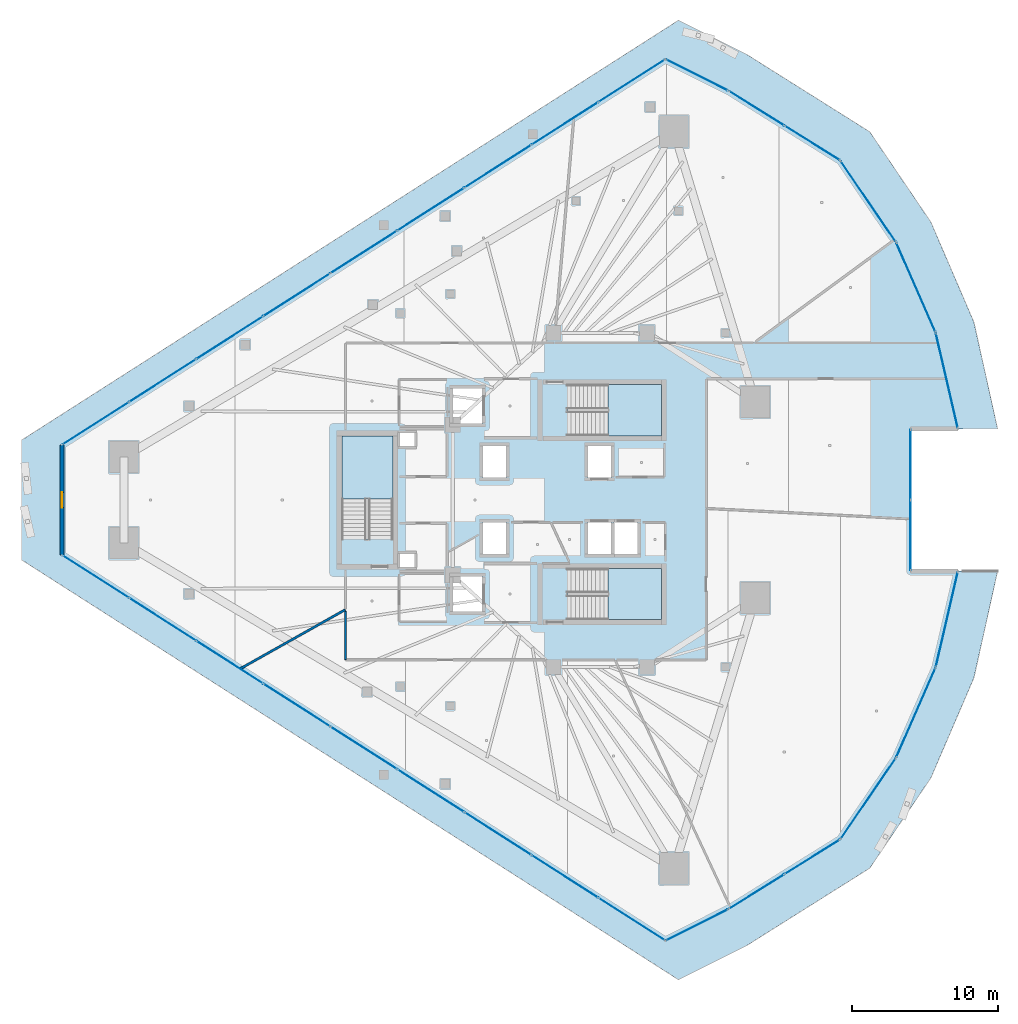
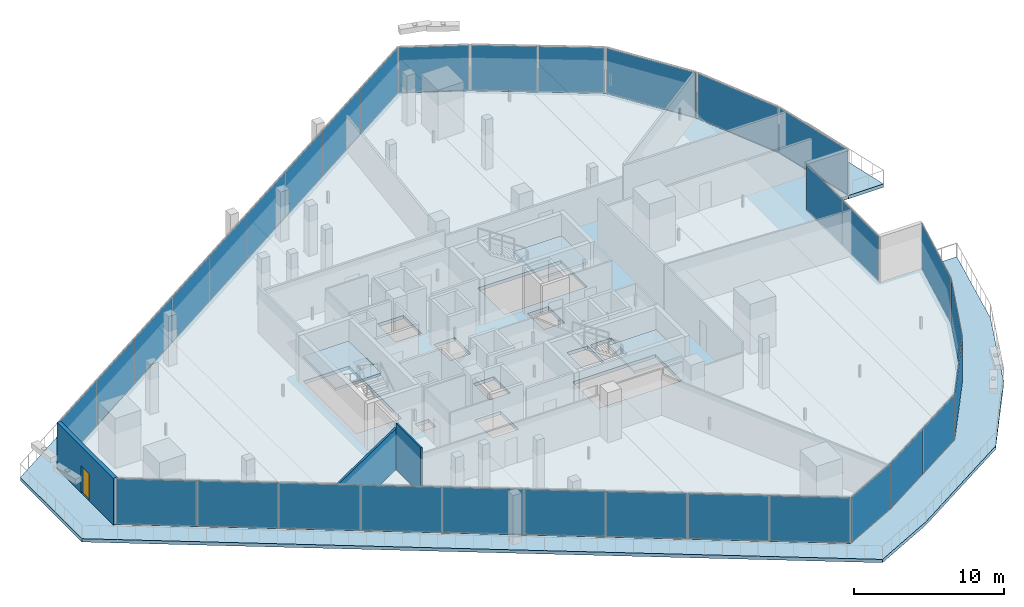
# One storey, part 24 of 38: 32 plates, 5 slabs, 3 walls, 1 door, 1 opening, 16 elements without a shape of their own.
"""IFC4 building model written with IfcOpenShell, lengths in metres."""

from ifc_helpers import new_model, si_unit, direction, frame, frame_2d, origin, origin_2d, place, context, subcontext, project, spatial, polyline, rectangle, outline, extrude, material, layer, layer_set, type_object, element, fill, aggregate, save


model = new_model("IFC4")

# Units and contexts
model_context = context("Model", 3, precision=1e-05, world=origin(), true_north=direction((0.0, 1.0)))
body_context = subcontext(model_context, "Body", "Model", "MODEL_VIEW")
ifc_project = project(units=[si_unit("LENGTHUNIT", "METRE"), si_unit("AREAUNIT", "SQUARE_METRE"), si_unit("VOLUMEUNIT", "CUBIC_METRE"), si_unit("PLANEANGLEUNIT", "RADIAN"), si_unit("MASSUNIT", "GRAM", prefix="KILO")], contexts=[model_context])

# Site, building, storey
site_placement = place(None, origin())
site = spatial("IfcSite", under=ifc_project, at=site_placement, CompositionType="ELEMENT")
building_placement = place(site_placement, origin())
building = spatial("IfcBuilding", under=site, at=building_placement, Name="Qorvath Tower", CompositionType="ELEMENT")
storey_placement = place(building_placement, frame((0.0, 0.0, 134.10009765625)))
storey = spatial("IfcBuildingStorey", under=building, at=storey_placement, Name="L30", CompositionType="ELEMENT", Elevation=134.10009765625)

# Curtain wall, plates
ifc_material_1 = material(Name="Anodised aluminium and triple low-E glass", Category="aluminium")
ifc_layer_1 = layer(ifc_material_1, 0.179931640625)
ifc_layer_set_1 = layer_set([ifc_layer_1], Name="CW-SYS-3")
curtain_wall_type = type_object("IfcCurtainWallType", Name="CW-SYS-3", PredefinedType="NOTDEFINED", material=ifc_layer_set_1)
curtain_wall_1_placement = place(storey_placement, origin())
curtain_wall_1 = element("IfcCurtainWall", 1, at=curtain_wall_1_placement, inside=storey, type_object=curtain_wall_type, Name="Curtain Wall CW-3 CW-T-L30-2.1", PredefinedType="NOTDEFINED")
ifc_material_2 = material(Name="Low-E triple insulated glass", Category="glass")
ifc_layer_2 = layer(ifc_material_2, 0.031982421875)
ifc_layer_set_2 = layer_set([ifc_layer_2], Name="CWP-GLZ-32")
plate_type = type_object("IfcPlateType", Name="CWP-GLZ-32", PredefinedType="CURTAIN_PANEL", material=ifc_layer_set_2)
plate_1_placement = place(storey_placement, frame((-54.97509765625, -5.253173828125, 0.06494140625), z_axis=(0.0, 0.0, 1.0), x_axis=(0.842603525385, -0.538534399095, 0.0)))
plate_1 = element("IfcPlate", 2, at=plate_1_placement, type_object=plate_type, Name="CW-3 panel 1.1", PredefinedType="CURTAIN_PANEL", context=body_context, shape_type="SweptSolid", body=[
    extrude(rectangle(XDim=5.35595703125, YDim=0.031982421875, at=origin_2d()), origin(), (0.0, 0.0, 1.0), 3.64990234375),
])
plate_2_placement = place(storey_placement, frame((-50.393798828125, -8.18115234375, 0.06494140625), z_axis=(0.0, 0.0, 1.0), x_axis=(0.842603525385, -0.538534399095, 0.0)))
plate_2 = element("IfcPlate", 3, at=plate_2_placement, type_object=plate_type, Name="CW-3 panel 2.1", PredefinedType="CURTAIN_PANEL", context=body_context, shape_type="SweptSolid", body=[
    extrude(rectangle(XDim=5.388427734375, YDim=0.031982421875, at=origin_2d()), origin(), (0.0, 0.0, 1.0), 3.64990234375),
])
plate_3_placement = place(storey_placement, frame((-45.798828125, -11.117919921875, 0.06494140625), z_axis=(0.0, 0.0, 1.0), x_axis=(0.842603525385, -0.538534399095, 0.0)))
plate_3 = element("IfcPlate", 4, at=plate_3_placement, type_object=plate_type, Name="CW-3 panel 3.1", PredefinedType="CURTAIN_PANEL", context=body_context, shape_type="SweptSolid", body=[
    extrude(rectangle(XDim=5.388427734375, YDim=0.031982421875, at=origin_2d()), origin(), (0.0, 0.0, 1.0), 3.64990234375),
])
plate_4_placement = place(storey_placement, frame((-41.20361328125, -14.054931640625, 0.06494140625), z_axis=(0.0, 0.0, 1.0), x_axis=(0.842603525385, -0.538534399095, 0.0)))
plate_4 = element("IfcPlate", 5, at=plate_4_placement, type_object=plate_type, Name="CW-3 panel 4.1", PredefinedType="CURTAIN_PANEL", context=body_context, shape_type="SweptSolid", body=[
    extrude(rectangle(XDim=5.388427734375, YDim=0.031982421875, at=origin_2d()), origin(), (0.0, 0.0, 1.0), 3.64990234375),
])
plate_5_placement = place(storey_placement, frame((-36.608642578125, -16.99169921875, 0.06494140625), z_axis=(0.0, 0.0, 1.0), x_axis=(0.842603525385, -0.538534399095, 0.0)))
plate_5 = element("IfcPlate", 6, at=plate_5_placement, type_object=plate_type, Name="CW-3 panel 5.1", PredefinedType="CURTAIN_PANEL", context=body_context, shape_type="SweptSolid", body=[
    extrude(rectangle(XDim=5.388427734375, YDim=0.031982421875, at=origin_2d()), origin(), (0.0, 0.0, 1.0), 3.64990234375),
])
plate_6_placement = place(storey_placement, frame((-32.013671875, -19.928466796875, 0.06494140625), z_axis=(0.0, 0.0, 1.0), x_axis=(0.842603525385, -0.538534399095, 0.0)))
plate_6 = element("IfcPlate", 7, at=plate_6_placement, type_object=plate_type, Name="CW-3 panel 6.1", PredefinedType="CURTAIN_PANEL", context=body_context, shape_type="SweptSolid", body=[
    extrude(rectangle(XDim=5.388427734375, YDim=0.031982421875, at=origin_2d()), origin(), (0.0, 0.0, 1.0), 3.64990234375),
])
plate_7_placement = place(storey_placement, frame((-27.41845703125, -22.865478515625, 0.06494140625), z_axis=(0.0, 0.0, 1.0), x_axis=(0.842603525385, -0.538534399095, 0.0)))
plate_7 = element("IfcPlate", 8, at=plate_7_placement, type_object=plate_type, Name="CW-3 panel 7.1", PredefinedType="CURTAIN_PANEL", context=body_context, shape_type="SweptSolid", body=[
    extrude(rectangle(XDim=5.388427734375, YDim=0.031982421875, at=origin_2d()), origin(), (0.0, 0.0, 1.0), 3.64990234375),
])
plate_8_placement = place(storey_placement, frame((-22.823486328125, -25.80224609375, 0.06494140625), z_axis=(0.0, 0.0, 1.0), x_axis=(0.842603525385, -0.538534399095, 0.0)))
plate_8 = element("IfcPlate", 9, at=plate_8_placement, type_object=plate_type, Name="CW-3 panel 8.1", PredefinedType="CURTAIN_PANEL", context=body_context, shape_type="SweptSolid", body=[
    extrude(rectangle(XDim=5.388427734375, YDim=0.031982421875, at=origin_2d()), origin(), (0.0, 0.0, 1.0), 3.64990234375),
])
plate_9_placement = place(storey_placement, frame((-18.2421875, -28.730224609375, 0.06494140625), z_axis=(0.0, 0.0, 1.0), x_axis=(0.842603525385, -0.538534399095, 0.0)))
plate_9 = element("IfcPlate", 10, at=plate_9_placement, type_object=plate_type, Name="CW-3 panel 9.1", PredefinedType="CURTAIN_PANEL", context=body_context, shape_type="SweptSolid", body=[
    extrude(rectangle(XDim=5.35595703125, YDim=0.031982421875, at=origin_2d()), origin(), (0.0, 0.0, 1.0), 3.64990234375),
])
aggregate(curtain_wall_1, [plate_1, plate_2, plate_3, plate_4, plate_5, plate_6, plate_7, plate_8, plate_9])

# Curtain wall, plate
curtain_wall_2_placement = place(storey_placement, origin())
curtain_wall_2 = element("IfcCurtainWall", 11, at=curtain_wall_2_placement, inside=storey, type_object=curtain_wall_type, Name="Curtain Wall CW-3 CW-T-L30-3.1", PredefinedType="NOTDEFINED")
plate_10_placement = place(storey_placement, frame((-13.773193359375, -29.128662109375, 0.06494140625), z_axis=(0.0, 0.0, 1.0), x_axis=(0.894427191001, 0.447213595499, 0.0)))
plate_10 = element("IfcPlate", 12, at=plate_10_placement, type_object=plate_type, Name="CW-3 panel 1.1", PredefinedType="CURTAIN_PANEL", context=body_context, shape_type="SweptSolid", body=[
    extrude(rectangle(XDim=4.69482421875, YDim=0.031982421875, at=origin_2d()), origin(), (0.0, 0.0, 1.0), 3.64990234375),
])
aggregate(curtain_wall_2, [plate_10])

# Curtain wall, plates
curtain_wall_3_placement = place(storey_placement, origin())
curtain_wall_3 = element("IfcCurtainWall", 13, at=curtain_wall_3_placement, inside=storey, type_object=curtain_wall_type, Name="Curtain Wall CW-3 CW-T-L30-4.1", PredefinedType="NOTDEFINED")
plate_11_placement = place(storey_placement, frame((-9.6845703125, -26.8447265625, 0.06494140625), z_axis=(0.0, 0.0, 1.0), x_axis=(0.848347418258, 0.529439947431, 0.0)))
plate_11 = element("IfcPlate", 14, at=plate_11_placement, type_object=plate_type, Name="CW-3 panel 1.1", PredefinedType="CURTAIN_PANEL", context=body_context, shape_type="SweptSolid", body=[
    extrude(rectangle(XDim=4.421875, YDim=0.031982421875, at=origin_2d()), origin(), (0.0, 0.0, 1.0), 3.64990234375),
])
plate_12_placement = place(storey_placement, frame((-5.878173828125, -24.46923828125, 0.06494140625), z_axis=(0.0, 0.0, 1.0), x_axis=(0.848347418258, 0.529439947431, 0.0)))
plate_12 = element("IfcPlate", 15, at=plate_12_placement, type_object=plate_type, Name="CW-3 panel 2.1", PredefinedType="CURTAIN_PANEL", context=body_context, shape_type="SweptSolid", body=[
    extrude(rectangle(XDim=4.421875, YDim=0.031982421875, at=origin_2d()), origin(), (0.0, 0.0, 1.0), 3.64990234375),
])
aggregate(curtain_wall_3, [plate_11, plate_12])

# Curtain wall, plate
curtain_wall_4_placement = place(storey_placement, origin())
curtain_wall_4 = element("IfcCurtainWall", 16, at=curtain_wall_4_placement, inside=storey, type_object=curtain_wall_type, Name="Curtain Wall CW-3 CW-T-L30-5.1", PredefinedType="NOTDEFINED")
plate_13_placement = place(storey_placement, frame((-2.03759765625, -20.4697265625, 0.06494140625), z_axis=(0.0, 0.0, 1.0), x_axis=(0.56422256167, 0.825622735214, 0.0)))
plate_13 = element("IfcPlate", 17, at=plate_13_placement, type_object=plate_type, Name="CW-3 panel 1.1", PredefinedType="CURTAIN_PANEL", context=body_context, shape_type="SweptSolid", body=[
    extrude(rectangle(XDim=6.639404296875, YDim=0.031982421875, at=origin_2d()), origin(), (0.0, 0.0, 1.0), 3.64990234375),
])
aggregate(curtain_wall_4, [plate_13])

curtain_wall_5_placement = place(storey_placement, origin())
curtain_wall_5 = element("IfcCurtainWall", 18, at=curtain_wall_5_placement, inside=storey, type_object=curtain_wall_type, Name="Curtain Wall CW-3 CW-T-L30-6.1", PredefinedType="NOTDEFINED")
plate_14_placement = place(storey_placement, frame((1.23193359375, -14.575927734375, 0.06494140625), z_axis=(0.0, 0.0, 1.0), x_axis=(0.401781910433, 0.915735385605, 0.0)))
plate_14 = element("IfcPlate", 19, at=plate_14_placement, type_object=plate_type, Name="CW-3 panel 1.1", PredefinedType="CURTAIN_PANEL", context=body_context, shape_type="SweptSolid", body=[
    extrude(rectangle(XDim=6.63916015625, YDim=0.031982421875, at=origin_2d()), origin(), (0.0, 0.0, 1.0), 3.64990234375),
])
aggregate(curtain_wall_5, [plate_14])

curtain_wall_6_placement = place(storey_placement, origin())
curtain_wall_6 = element("IfcCurtainWall", 20, at=curtain_wall_6_placement, inside=storey, type_object=curtain_wall_type, Name="Curtain Wall CW-3 CW-T-L30-7.1", PredefinedType="NOTDEFINED")
plate_15_placement = place(storey_placement, frame((3.354736328125, -8.17919921875, 0.06494140625), z_axis=(0.0, 0.0, 1.0), x_axis=(0.225417265338, 0.974262314004, 0.0)))
plate_15 = element("IfcPlate", 21, at=plate_15_placement, type_object=plate_type, Name="CW-3 panel 1.1", PredefinedType="CURTAIN_PANEL", context=body_context, shape_type="SweptSolid", body=[
    extrude(rectangle(XDim=6.63916015625, YDim=0.031982421875, at=origin_2d()), origin(), (0.0, 0.0, 1.0), 3.64990234375),
])
aggregate(curtain_wall_6, [plate_15])

# Curtain wall, plates
curtain_wall_7_placement = place(storey_placement, origin())
curtain_wall_7 = element("IfcCurtainWall", 22, at=curtain_wall_7_placement, inside=storey, type_object=curtain_wall_type, Name="Curtain Wall CW-3 CW-T-L30-9.1", PredefinedType="NOTDEFINED")
plate_16_placement = place(storey_placement, frame((0.86328125, -2.424560546875, 0.06494140625), z_axis=(0.0, 0.0, 1.0), x_axis=(0.0, 1.0, 0.0)))
plate_16 = element("IfcPlate", 23, at=plate_16_placement, type_object=plate_type, Name="CW-3 panel 1.1", PredefinedType="CURTAIN_PANEL", context=body_context, shape_type="SweptSolid", body=[
    extrude(rectangle(XDim=4.7841796875, YDim=0.031982421875, at=origin_2d()), origin(), (0.0, 0.0, 1.0), 3.64990234375),
])
plate_17_placement = place(storey_placement, frame((0.86328125, 2.424560546875, 0.06494140625), z_axis=(0.0, 0.0, 1.0), x_axis=(0.0, 1.0, 0.0)))
plate_17 = element("IfcPlate", 24, at=plate_17_placement, type_object=plate_type, Name="CW-3 panel 2.1", PredefinedType="CURTAIN_PANEL", context=body_context, shape_type="SweptSolid", body=[
    extrude(rectangle(XDim=4.7841796875, YDim=0.031982421875, at=origin_2d()), origin(), (0.0, 0.0, 1.0), 3.64990234375),
])
aggregate(curtain_wall_7, [plate_16, plate_17])

# Curtain wall, plate
curtain_wall_8_placement = place(storey_placement, origin())
curtain_wall_8 = element("IfcCurtainWall", 25, at=curtain_wall_8_placement, inside=storey, type_object=curtain_wall_type, Name="Curtain Wall CW-3 CW-T-L30-11.1", PredefinedType="NOTDEFINED")
plate_18_placement = place(storey_placement, frame((3.354736328125, 8.17919921875, 0.06494140625), z_axis=(0.0, 0.0, 1.0), x_axis=(-0.225417265338, 0.974262314004, 0.0)))
plate_18 = element("IfcPlate", 26, at=plate_18_placement, type_object=plate_type, Name="CW-3 panel 1.1", PredefinedType="CURTAIN_PANEL", context=body_context, shape_type="SweptSolid", body=[
    extrude(rectangle(XDim=6.63916015625, YDim=0.031982421875, at=origin_2d()), origin(), (0.0, 0.0, 1.0), 3.64990234375),
])
aggregate(curtain_wall_8, [plate_18])

curtain_wall_9_placement = place(storey_placement, origin())
curtain_wall_9 = element("IfcCurtainWall", 27, at=curtain_wall_9_placement, inside=storey, type_object=curtain_wall_type, Name="Curtain Wall CW-3 CW-T-L30-12.1", PredefinedType="NOTDEFINED")
plate_19_placement = place(storey_placement, frame((1.23193359375, 14.575927734375, 0.06494140625), z_axis=(0.0, 0.0, 1.0), x_axis=(-0.401781910433, 0.915735385605, 0.0)))
plate_19 = element("IfcPlate", 28, at=plate_19_placement, type_object=plate_type, Name="CW-3 panel 1.1", PredefinedType="CURTAIN_PANEL", context=body_context, shape_type="SweptSolid", body=[
    extrude(rectangle(XDim=6.63916015625, YDim=0.031982421875, at=origin_2d()), origin(), (0.0, 0.0, 1.0), 3.64990234375),
])
aggregate(curtain_wall_9, [plate_19])

curtain_wall_10_placement = place(storey_placement, origin())
curtain_wall_10 = element("IfcCurtainWall", 29, at=curtain_wall_10_placement, inside=storey, type_object=curtain_wall_type, Name="Curtain Wall CW-3 CW-T-L30-13.1", PredefinedType="NOTDEFINED")
plate_20_placement = place(storey_placement, frame((-2.03759765625, 20.4697265625, 0.06494140625), z_axis=(0.0, 0.0, 1.0), x_axis=(-0.56422256167, 0.825622735214, 0.0)))
plate_20 = element("IfcPlate", 30, at=plate_20_placement, type_object=plate_type, Name="CW-3 panel 1.1", PredefinedType="CURTAIN_PANEL", context=body_context, shape_type="SweptSolid", body=[
    extrude(rectangle(XDim=6.639404296875, YDim=0.031982421875, at=origin_2d()), origin(), (0.0, 0.0, 1.0), 3.64990234375),
])
aggregate(curtain_wall_10, [plate_20])

# Curtain wall, plates
curtain_wall_11_placement = place(storey_placement, origin())
curtain_wall_11 = element("IfcCurtainWall", 31, at=curtain_wall_11_placement, inside=storey, type_object=curtain_wall_type, Name="Curtain Wall CW-3 CW-T-L30-14.1", PredefinedType="NOTDEFINED")
plate_21_placement = place(storey_placement, frame((-5.878173828125, 24.46923828125, 0.06494140625), z_axis=(0.0, 0.0, 1.0), x_axis=(-0.848347418258, 0.529439947431, 0.0)))
plate_21 = element("IfcPlate", 32, at=plate_21_placement, type_object=plate_type, Name="CW-3 panel 1.1", PredefinedType="CURTAIN_PANEL", context=body_context, shape_type="SweptSolid", body=[
    extrude(rectangle(XDim=4.421875, YDim=0.031982421875, at=origin_2d()), origin(), (0.0, 0.0, 1.0), 3.64990234375),
])
plate_22_placement = place(storey_placement, frame((-9.6845703125, 26.8447265625, 0.06494140625), z_axis=(0.0, 0.0, 1.0), x_axis=(-0.848347418258, 0.529439947431, 0.0)))
plate_22 = element("IfcPlate", 33, at=plate_22_placement, type_object=plate_type, Name="CW-3 panel 2.1", PredefinedType="CURTAIN_PANEL", context=body_context, shape_type="SweptSolid", body=[
    extrude(rectangle(XDim=4.421875, YDim=0.031982421875, at=origin_2d()), origin(), (0.0, 0.0, 1.0), 3.64990234375),
])
aggregate(curtain_wall_11, [plate_21, plate_22])

# Curtain wall, plate
curtain_wall_12_placement = place(storey_placement, origin())
curtain_wall_12 = element("IfcCurtainWall", 34, at=curtain_wall_12_placement, inside=storey, type_object=curtain_wall_type, Name="Curtain Wall CW-3 CW-T-L30-15.1", PredefinedType="NOTDEFINED")
plate_23_placement = place(storey_placement, frame((-13.773193359375, 29.128662109375, 0.06494140625), z_axis=(0.0, 0.0, 1.0), x_axis=(-0.894427191001, 0.447213595499, 0.0)))
plate_23 = element("IfcPlate", 35, at=plate_23_placement, type_object=plate_type, Name="CW-3 panel 1.1", PredefinedType="CURTAIN_PANEL", context=body_context, shape_type="SweptSolid", body=[
    extrude(rectangle(XDim=4.69482421875, YDim=0.031982421875, at=origin_2d()), origin(), (0.0, 0.0, 1.0), 3.64990234375),
])
aggregate(curtain_wall_12, [plate_23])

# Curtain wall, plates
curtain_wall_13_placement = place(storey_placement, origin())
curtain_wall_13 = element("IfcCurtainWall", 36, at=curtain_wall_13_placement, inside=storey, type_object=curtain_wall_type, Name="Curtain Wall CW-3 CW-T-L30-16.1", PredefinedType="NOTDEFINED")
plate_24_placement = place(storey_placement, frame((-18.2421875, 28.730224609375, 0.06494140625), z_axis=(0.0, 0.0, 1.0), x_axis=(-0.842603525385, -0.538534399095, 0.0)))
plate_24 = element("IfcPlate", 37, at=plate_24_placement, type_object=plate_type, Name="CW-3 panel 1.1", PredefinedType="CURTAIN_PANEL", context=body_context, shape_type="SweptSolid", body=[
    extrude(rectangle(XDim=5.35595703125, YDim=0.031982421875, at=origin_2d()), origin(), (0.0, 0.0, 1.0), 3.64990234375),
])
plate_25_placement = place(storey_placement, frame((-22.823486328125, 25.80224609375, 0.06494140625), z_axis=(0.0, 0.0, 1.0), x_axis=(-0.842603525385, -0.538534399095, 0.0)))
plate_25 = element("IfcPlate", 38, at=plate_25_placement, type_object=plate_type, Name="CW-3 panel 2.1", PredefinedType="CURTAIN_PANEL", context=body_context, shape_type="SweptSolid", body=[
    extrude(rectangle(XDim=5.388427734375, YDim=0.031982421875, at=origin_2d()), origin(), (0.0, 0.0, 1.0), 3.64990234375),
])
plate_26_placement = place(storey_placement, frame((-27.41845703125, 22.865478515625, 0.06494140625), z_axis=(0.0, 0.0, 1.0), x_axis=(-0.842603525385, -0.538534399095, 0.0)))
plate_26 = element("IfcPlate", 39, at=plate_26_placement, type_object=plate_type, Name="CW-3 panel 3.1", PredefinedType="CURTAIN_PANEL", context=body_context, shape_type="SweptSolid", body=[
    extrude(rectangle(XDim=5.388427734375, YDim=0.031982421875, at=origin_2d()), origin(), (0.0, 0.0, 1.0), 3.64990234375),
])
plate_27_placement = place(storey_placement, frame((-32.013671875, 19.928466796875, 0.06494140625), z_axis=(0.0, 0.0, 1.0), x_axis=(-0.842603525385, -0.538534399095, 0.0)))
plate_27 = element("IfcPlate", 40, at=plate_27_placement, type_object=plate_type, Name="CW-3 panel 4.1", PredefinedType="CURTAIN_PANEL", context=body_context, shape_type="SweptSolid", body=[
    extrude(rectangle(XDim=5.388427734375, YDim=0.031982421875, at=origin_2d()), origin(), (0.0, 0.0, 1.0), 3.64990234375),
])
plate_28_placement = place(storey_placement, frame((-36.608642578125, 16.99169921875, 0.06494140625), z_axis=(0.0, 0.0, 1.0), x_axis=(-0.842603525385, -0.538534399095, 0.0)))
plate_28 = element("IfcPlate", 41, at=plate_28_placement, type_object=plate_type, Name="CW-3 panel 5.1", PredefinedType="CURTAIN_PANEL", context=body_context, shape_type="SweptSolid", body=[
    extrude(rectangle(XDim=5.388427734375, YDim=0.031982421875, at=origin_2d()), origin(), (0.0, 0.0, 1.0), 3.64990234375),
])
plate_29_placement = place(storey_placement, frame((-41.20361328125, 14.054931640625, 0.06494140625), z_axis=(0.0, 0.0, 1.0), x_axis=(-0.842603525385, -0.538534399095, 0.0)))
plate_29 = element("IfcPlate", 42, at=plate_29_placement, type_object=plate_type, Name="CW-3 panel 6.1", PredefinedType="CURTAIN_PANEL", context=body_context, shape_type="SweptSolid", body=[
    extrude(rectangle(XDim=5.388427734375, YDim=0.031982421875, at=origin_2d()), origin(), (0.0, 0.0, 1.0), 3.64990234375),
])
plate_30_placement = place(storey_placement, frame((-45.798828125, 11.117919921875, 0.06494140625), z_axis=(0.0, 0.0, 1.0), x_axis=(-0.842603525385, -0.538534399095, 0.0)))
plate_30 = element("IfcPlate", 43, at=plate_30_placement, type_object=plate_type, Name="CW-3 panel 7.1", PredefinedType="CURTAIN_PANEL", context=body_context, shape_type="SweptSolid", body=[
    extrude(rectangle(XDim=5.388427734375, YDim=0.031982421875, at=origin_2d()), origin(), (0.0, 0.0, 1.0), 3.64990234375),
])
plate_31_placement = place(storey_placement, frame((-50.393798828125, 8.18115234375, 0.06494140625), z_axis=(0.0, 0.0, 1.0), x_axis=(-0.842603525385, -0.538534399095, 0.0)))
plate_31 = element("IfcPlate", 44, at=plate_31_placement, type_object=plate_type, Name="CW-3 panel 8.1", PredefinedType="CURTAIN_PANEL", context=body_context, shape_type="SweptSolid", body=[
    extrude(rectangle(XDim=5.388427734375, YDim=0.031982421875, at=origin_2d()), origin(), (0.0, 0.0, 1.0), 3.64990234375),
])
plate_32_placement = place(storey_placement, frame((-54.97509765625, 5.253173828125, 0.06494140625), z_axis=(0.0, 0.0, 1.0), x_axis=(-0.842603525385, -0.538534399095, 0.0)))
plate_32 = element("IfcPlate", 45, at=plate_32_placement, type_object=plate_type, Name="CW-3 panel 9.1", PredefinedType="CURTAIN_PANEL", context=body_context, shape_type="SweptSolid", body=[
    extrude(rectangle(XDim=5.35595703125, YDim=0.031982421875, at=origin_2d()), origin(), (0.0, 0.0, 1.0), 3.64990234375),
])
aggregate(curtain_wall_13, [plate_24, plate_25, plate_26, plate_27, plate_28, plate_29, plate_30, plate_31, plate_32])

# Stair, slab
ifc_material_3 = material(Name="Concrete C50/60", Category="concrete")
stair_type = type_object("IfcStairType", Name="ST-H405", PredefinedType="HALF_TURN_STAIR", material=ifc_material_3)
stair_1_placement = place(storey_placement, origin())
stair_1 = element("IfcStair", 46, at=stair_1_placement, inside=storey, type_object=stair_type, Name="L30 Tower Exit Stair 1", PredefinedType="HALF_TURN_STAIR")
ifc_material_4 = material(Name="Concrete C50/60", Category="concrete")
ifc_layer_3 = layer(ifc_material_4, 0.199951171875)
ifc_layer_set_3 = layer_set([ifc_layer_3], Name="SL-LND-200")
slab_type_1 = type_object("IfcSlabType", Name="SL-LND-200", PredefinedType="LANDING", material=ifc_layer_set_3)
slab_1_placement = place(storey_placement, frame((0.0, 0.0, 1.824951171875)))
slab_1 = element("IfcSlab", 47, at=slab_1_placement, type_object=slab_type_1, Name="TS1 landing 1", PredefinedType="LANDING", context=body_context, shape_type="SweptSolid", body=[
    extrude(outline(polyline([(-19.8701171875, 4.39990234375), (-16.199951171875, 4.39990234375), (-16.199951171875, 7.909912109375), (-19.8701171875, 7.909912109375), (-19.8701171875, 4.39990234375)])), origin(), (0.0, 0.0, 1.0), 0.199951171875),
])
aggregate(stair_1, [slab_1])

stair_2_placement = place(storey_placement, origin())
stair_2 = element("IfcStair", 48, at=stair_2_placement, inside=storey, type_object=stair_type, Name="L30 Tower Exit Stair 2", PredefinedType="HALF_TURN_STAIR")
slab_2_placement = place(storey_placement, frame((0.0, 0.0, 1.824951171875)))
slab_2 = element("IfcSlab", 49, at=slab_2_placement, type_object=slab_type_1, Name="TS2 landing 1", PredefinedType="LANDING", context=body_context, shape_type="SweptSolid", body=[
    extrude(outline(polyline([(-19.8701171875, -8.199951171875), (-16.199951171875, -8.199951171875), (-16.199951171875, -4.68994140625), (-19.8701171875, -4.68994140625), (-19.8701171875, -8.199951171875)])), origin(), (0.0, 0.0, 1.0), 0.199951171875),
])
aggregate(stair_2, [slab_2])

stair_3_placement = place(storey_placement, origin())
stair_3 = element("IfcStair", 50, at=stair_3_placement, inside=storey, type_object=stair_type, Name="L30 Tower Exit Stair 3", PredefinedType="HALF_TURN_STAIR")
slab_3_placement = place(storey_placement, frame((0.0, 0.0, 1.824951171875)))
slab_3 = element("IfcSlab", 51, at=slab_3_placement, type_object=slab_type_1, Name="TS3 landing 1", PredefinedType="LANDING", context=body_context, shape_type="SweptSolid", body=[
    extrude(outline(polyline([(-34.60009765625, 0.080078125), (-34.60009765625, 4.39990234375), (-38.110107421875, 4.39990234375), (-38.110107421875, 0.080078125), (-34.60009765625, 0.080078125)])), origin(), (0.0, 0.0, 1.0), 0.199951171875),
])
aggregate(stair_3, [slab_3])

# Slabs
ifc_material_5 = material(Name="Precast concrete C45/55", Category="concrete")
ifc_layer_4 = layer(ifc_material_5, 0.27001953125)
ifc_layer_set_4 = layer_set([ifc_layer_4], Name="SL-LOG-270")
slab_type_2 = type_object("IfcSlabType", Name="SL-LOG-270", PredefinedType="FLOOR", material=ifc_layer_set_4)
slab_4_placement = place(storey_placement, frame((0.0, 0.0, -0.27001953125)))
element("IfcSlab", 52, at=slab_4_placement, inside=storey, type_object=slab_type_2, Name="Tower L30 Perimeter Loggia and Terrace Slab", PredefinedType="FLOOR", context=body_context, shape_type="SweptSolid", body=[
    extrude(outline(polyline([(4.11767578125, -4.881591796875), (2.591796875, -11.4765625), (-0.1279296875, -17.67529296875), (-3.947265625, -23.26416015625), (-11.615478515625, -28.0498046875), (-15.930908203125, -30.20751953125), (-57.286376953125, -3.77587890625), (-57.286376953125, 3.77587890625), (-15.930908203125, 30.20751953125), (-11.615478515625, 28.0498046875), (-3.947265625, 23.26416015625), (-0.1279296875, 17.67529296875), (2.591796875, 11.4765625), (4.11767578125, 4.881591796875), (6.833984375, 4.881591796875), (5.218505859375, 12.180419921875), (2.26220703125, 19.046142578125), (-1.93017578125, 25.235107421875), (-10.3447265625, 30.527587890625), (-15.04150390625, 32.875732421875), (-60.050048828125, 4.109619140625), (-60.050048828125, -4.109619140625), (-15.04150390625, -32.875732421875), (-10.3447265625, -30.527587890625), (-1.93017578125, -25.235107421875), (2.26220703125, -19.046142578125), (5.218505859375, -12.180419921875), (6.833984375, -4.881591796875), (4.11767578125, -4.881591796875)])), origin(), (0.0, 0.0, 1.0), 0.27001953125),
])
ifc_material_6 = material(Name="Concrete C45/55", Category="concrete")
ifc_layer_5 = layer(ifc_material_6, 0.27001953125)
ifc_layer_set_5 = layer_set([ifc_layer_5], Name="SL-MID-270")
slab_type_3 = type_object("IfcSlabType", Name="SL-MID-270", PredefinedType="FLOOR", material=ifc_layer_set_5)
slab_5_placement = place(storey_placement, frame((0.0, 0.0, -0.27001953125)))
element("IfcSlab", 53, at=slab_5_placement, inside=storey, type_object=slab_type_3, Name="Tower L30 Interior Floor Slab", PredefinedType="FLOOR", context=body_context, shape_type="SweptSolid", body=[
    extrude(outline(polyline([(-57.286376953125, 3.77587890625), (-57.286376953125, -3.77587890625), (-15.930908203125, -30.20751953125), (-11.615478515625, -28.0498046875), (-3.947265625, -23.26416015625), (-0.1279296875, -17.67529296875), (2.591796875, -11.4765625), (4.11767578125, -4.881591796875), (0.86328125, -4.881591796875), (0.86328125, 4.881591796875), (4.11767578125, 4.881591796875), (2.591796875, 11.4765625), (-0.1279296875, 17.67529296875), (-3.947265625, 23.26416015625), (-11.615478515625, 28.0498046875), (-15.930908203125, 30.20751953125), (-57.286376953125, 3.77587890625)]), holes=[polyline([(-16.2451171875, -8.199951171875), (-22.625, -8.199951171875), (-22.625, -4.68994140625), (-16.2451171875, -4.68994140625), (-16.2451171875, -8.199951171875)]), polyline([(-22.625, 4.39990234375), (-22.625, 7.909912109375), (-16.2451171875, 7.909912109375), (-16.2451171875, 4.39990234375), (-22.625, 4.39990234375)]), polyline([(-17.85009765625, -3.699951171875), (-19.449951171875, -3.699951171875), (-19.449951171875, -1.550048828125), (-17.85009765625, -1.550048828125), (-17.85009765625, -3.699951171875)]), polyline([(-21.25, -3.699951171875), (-21.25, -1.550048828125), (-19.64990234375, -1.550048828125), (-19.64990234375, -3.699951171875), (-21.25, -3.699951171875)]), polyline([(-21.25, 1.550048828125), (-21.25, 3.699951171875), (-19.64990234375, 3.699951171875), (-19.64990234375, 1.550048828125), (-21.25, 1.550048828125)]), polyline([(-28.449951171875, -3.699951171875), (-28.449951171875, -1.550048828125), (-26.85009765625, -1.550048828125), (-26.85009765625, -3.699951171875), (-28.449951171875, -3.699951171875)]), polyline([(-26.85009765625, 1.550048828125), (-28.449951171875, 1.550048828125), (-28.449951171875, 3.699951171875), (-26.85009765625, 3.699951171875), (-26.85009765625, 1.550048828125)]), polyline([(-28.5, -7.64990234375), (-30.5, -7.64990234375), (-30.5, -5.25), (-28.5, -5.25), (-28.5, -7.64990234375)]), polyline([(-30.5, 5.25), (-30.5, 7.64990234375), (-28.5, 7.64990234375), (-28.5, 5.25), (-30.5, 5.25)]), polyline([(-34.14990234375, -4.6201171875), (-34.14990234375, -3.64990234375), (-33.10009765625, -3.64990234375), (-33.10009765625, -4.6201171875), (-34.14990234375, -4.6201171875)]), polyline([(-34.14990234375, 3.64990234375), (-34.14990234375, 4.6201171875), (-33.10009765625, 4.6201171875), (-33.10009765625, 3.64990234375), (-34.14990234375, 3.64990234375)]), polyline([(-34.60009765625, -2.675048828125), (-38.110107421875, -2.675048828125), (-38.110107421875, 4.35498046875), (-34.60009765625, 4.35498046875), (-34.60009765625, -2.675048828125)])]), origin(), (0.0, 0.0, 1.0), 0.27001953125),
])

# Walls
ifc_material_7 = material(Name="Double acoustic gypsum board on steel studs", Category="steel")
ifc_layer_6 = layer(ifc_material_7, 0.159912109375)
ifc_layer_set_6 = layer_set([ifc_layer_6], Name="IW-ACOUSTIC-160")
wall_type_1 = type_object("IfcWallType", Name="IW-ACOUSTIC-160", PredefinedType="PARTITIONING", material=ifc_layer_set_6)
wall_1_placement = place(storey_placement, frame((-45.017333984375, -11.53369140625, 0.0), z_axis=(0.0, 0.0, 1.0), x_axis=(0.871706095803, 0.490029062954, 0.0)))
element("IfcWall", 54, at=wall_1_placement, inside=storey, type_object=wall_type_1, Name="Interior Partition IW-T1-L30-025", PredefinedType="PARTITIONING", context=body_context, shape_type="SweptSolid", body=[
    extrude(rectangle(XDim=8.188232421875, YDim=0.159912109375, at=frame_2d((4.09423828125, 0.0))), origin(), (0.0, 0.0, 1.0), 3.343994140625),
])
ifc_material_8 = material(Name="Gypsum board on metal studs with mineral wool", Category="gypsum")
ifc_layer_7 = layer(ifc_material_8, 0.125)
ifc_layer_set_7 = layer_set([ifc_layer_7], Name="IW-PART-125")
wall_type_2 = type_object("IfcWallType", Name="IW-PART-125", PredefinedType="PARTITIONING", material=ifc_layer_set_7)
wall_2_placement = place(storey_placement, frame((-37.85791015625, -7.631591796875, 0.0), z_axis=(0.0, 0.0, 1.0), x_axis=(0.0, -1.0, 0.0)))
element("IfcWall", 55, at=wall_2_placement, inside=storey, type_object=wall_type_2, Name="Interior Partition IW-T1-L30-027", PredefinedType="PARTITIONING", context=body_context, shape_type="SweptSolid", body=[
    extrude(rectangle(XDim=3.301513671875, YDim=0.125, at=frame_2d((1.65087890625, 0.0))), origin(), (0.0, 0.0, 1.0), 3.77978515625),
])

# Wall, opening, door
ifc_material_9 = material(Name="Precast concrete C45/55", Category="concrete")
ifc_layer_8 = layer(ifc_material_9, 0.300048828125)
ifc_layer_set_8 = layer_set([ifc_layer_8], Name="WL-EW-LOG-300")
wall_type_3 = type_object("IfcWallType", Name="WL-EW-LOG-300", PredefinedType="SOLIDWALL", material=ifc_layer_set_8)
wall_3_placement = place(storey_placement, frame((-57.286376953125, -3.77587890625, 0.0), z_axis=(0.0, 0.0, 1.0), x_axis=(0.0, 1.0, 0.0)))
wall_3 = element("IfcWall", 56, at=wall_3_placement, inside=storey, type_object=wall_type_3, Name="Tower Precast Loggia Wall L30-1.1", PredefinedType="SOLIDWALL", context=body_context, shape_type="SweptSolid", body=[
    extrude(rectangle(XDim=7.5517578125, YDim=0.300048828125, at=frame_2d((3.77587890625, 0.0))), origin(), (0.0, 0.0, 1.0), 3.77978515625),
])
opening_placement = place(wall_3_placement, frame((3.2509765625, 0.0, 0.0)))
opening = element("IfcOpeningElement", 57, at=opening_placement, cuts=wall_3, Name="Opening ED-L30-01", PredefinedType="OPENING", context=body_context, shape_type="SweptSolid", body=[
    extrude(rectangle(XDim=1.050048828125, YDim=2.199951171875, at=frame_2d((0.52490234375, 1.10009765625))), frame((0.0, 0.16015625, 0.0), z_axis=(0.0, -1.0, 0.0), x_axis=(1.0, 0.0, 0.0)), (0.0, 0.0, 1.0), 0.320068359375),
])
ifc_material_10 = material(Name="Thermally broken aluminium glazed door", Category="aluminium")
door_type = type_object("IfcDoorType", Name="ED-LOG", OperationType="NOTDEFINED", PredefinedType="DOOR", material=ifc_material_10)
door_placement = place(opening_placement, origin())
door = element("IfcDoor", 58, at=door_placement, inside=storey, type_object=door_type, Name="L30 Recessed Loggia Access Door 1", OperationType="SINGLE_SWING_RIGHT", OverallHeight=2.199951171875, OverallWidth=1.050048828125, PredefinedType="DOOR", context=body_context, shape_type="SweptSolid", body=[
    extrude(rectangle(XDim=1.050048828125, YDim=2.199951171875, at=frame_2d((0.52490234375, 1.10009765625))), frame((0.0, 0.02490234375, 0.0), z_axis=(0.0, -1.0, 0.0), x_axis=(1.0, 0.0, 0.0)), (0.0, 0.0, 1.0), 0.050048828125),
])
fill(opening, door)

save(model, "model.ifc")
